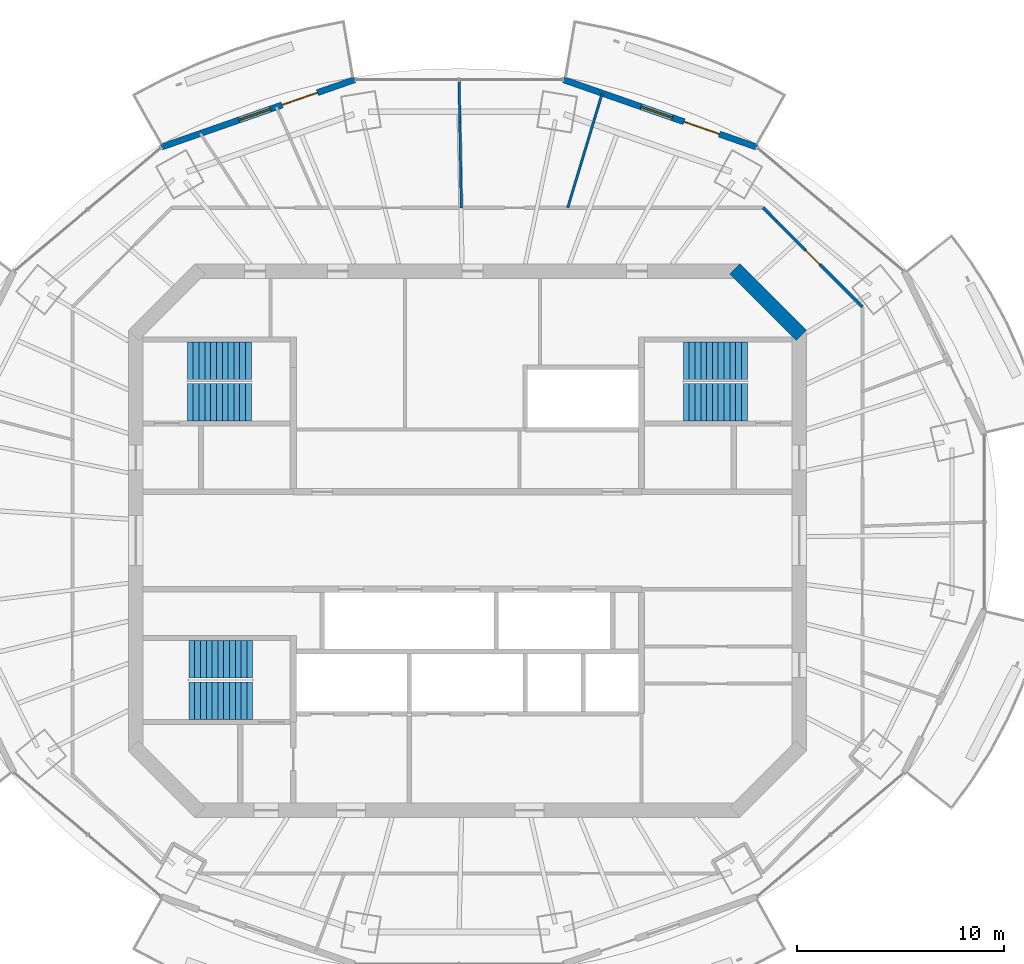
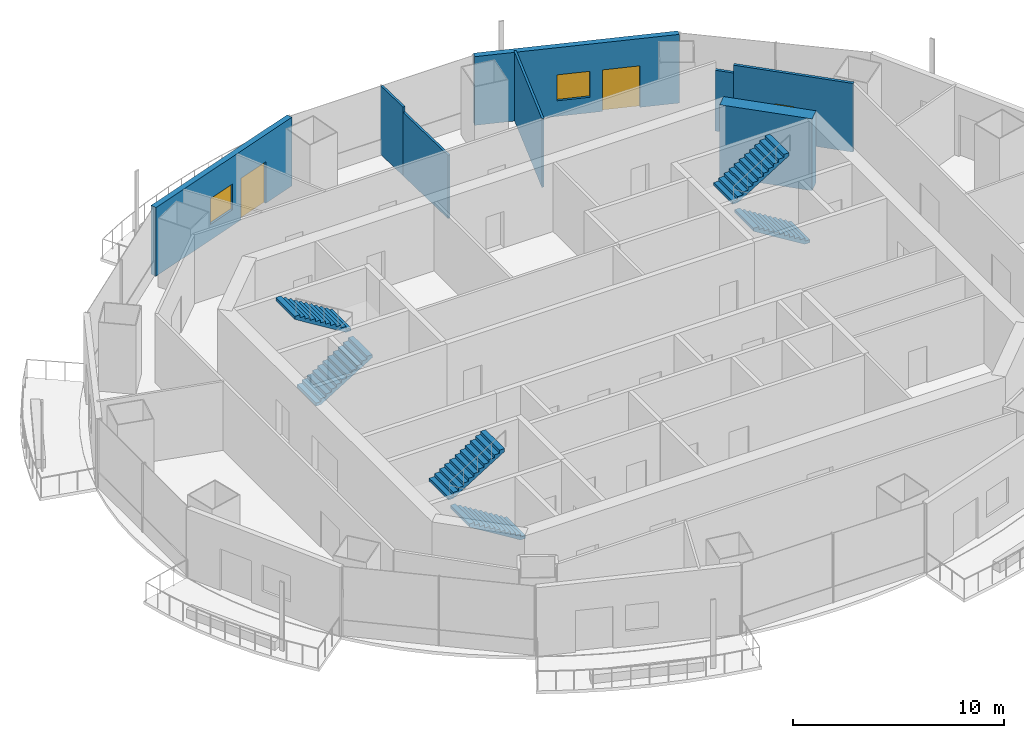
# One storey, part 11 of 16: 8 walls, 6 stair flights, 3 doors, 2 windows, 5 openings, 3 elements without a shape of their own.
"""IFC4 building model written with IfcOpenShell, lengths in metres."""

from ifc_helpers import new_model, si_unit, direction, frame, frame_2d, origin, place, context, subcontext, project, spatial, polyline, rectangle, outline, extrude, material, layer, layer_set, type_object, element, fill, aggregate, save


model = new_model("IFC4")

# Units and contexts
model_context = context("Model", 3, precision=1e-05, world=origin(), true_north=direction((0.0, 1.0)))
body_context = subcontext(model_context, "Body", "Model", "MODEL_VIEW")
ifc_project = project(units=[si_unit("LENGTHUNIT", "METRE"), si_unit("AREAUNIT", "SQUARE_METRE"), si_unit("VOLUMEUNIT", "CUBIC_METRE"), si_unit("PLANEANGLEUNIT", "RADIAN"), si_unit("MASSUNIT", "GRAM", prefix="KILO")], contexts=[model_context])

# Site, building, storey
site_placement = place(None, origin())
site = spatial("IfcSite", under=ifc_project, at=site_placement, CompositionType="ELEMENT")
building_placement = place(site_placement, origin())
building = spatial("IfcBuilding", under=site, at=building_placement, Name="Marenthal Gate Tower", CompositionType="ELEMENT")
storey_placement = place(building_placement, frame((0.0, 0.0, 379.949951171875)))
storey = spatial("IfcBuildingStorey", under=building, at=storey_placement, Name="L86", CompositionType="ELEMENT", Elevation=379.949951171875)

# Walls
ifc_material_1 = material(Name="Concrete 60 MPa", Category="concrete")
ifc_layer_1 = layer(ifc_material_1, 0.699951171875)
ifc_layer_set_1 = layer_set([ifc_layer_1], Name="Core shear wall 700")
wall_type_1 = type_object("IfcWallType", Name="Core shear wall 700", PredefinedType="SHEAR", material=ifc_layer_set_1)
wall_1_placement = place(storey_placement, frame((16.1025390625, 9.8974609375, -0.179931640625), z_axis=(0.0, 0.0, 1.0), x_axis=(-0.707106781187, 0.707106781187, 0.0)))
element("IfcWall", 1, at=wall_1_placement, inside=storey, type_object=wall_type_1, Name="Core wall 03", PredefinedType="SHEAR", context=body_context, shape_type="SweptSolid", body=[
    extrude(rectangle(XDim=4.53271484375, YDim=0.699951171875, at=frame_2d((2.266357421875, 0.0))), origin(), (0.0, 0.0, 1.0), 4.14990234375),
])
ifc_material_2 = material(Name="Gypsum board on steel studs", Category="steel")
ifc_layer_2 = layer(ifc_material_2, 0.1201171875)
ifc_layer_set_2 = layer_set([ifc_layer_2], Name="Partition 120")
wall_type_2 = type_object("IfcWallType", Name="Partition 120", PredefinedType="PARTITIONING", material=ifc_layer_set_2)
wall_2_placement = place(storey_placement, frame((-0.288818359375, 16.050048828125, 0.0), z_axis=(0.0, 0.0, 1.0), x_axis=(-0.018023076785, 0.99983757116, 0.0)))
element("IfcWall", 2, at=wall_2_placement, inside=storey, type_object=wall_type_2, Name="Partition wall 63", PredefinedType="PARTITIONING", context=body_context, shape_type="SweptSolid", body=[
    extrude(rectangle(XDim=4.131591796875, YDim=0.1201171875, at=frame_2d((2.06591796875, 0.0))), origin(), (0.0, 0.0, 1.0), 3.66015625),
])
wall_3_placement = place(storey_placement, frame((-0.36328125, 20.180908203125, 0.0), z_axis=(0.0, 0.0, 1.0), x_axis=(-0.017892625522, 0.999839914162, 0.0)))
element("IfcWall", 3, at=wall_3_placement, inside=storey, type_object=wall_type_2, Name="Partition wall 77", PredefinedType="PARTITIONING", context=body_context, shape_type="SweptSolid", body=[
    extrude(rectangle(XDim=2.046630859375, YDim=0.1201171875, at=frame_2d((1.0234375, 0.0))), origin(), (0.0, 0.0, 1.0), 3.969970703125),
])
wall_4_placement = place(storey_placement, frame((4.840087890625, 16.050048828125, 0.0), z_axis=(0.0, 0.0, 1.0), x_axis=(0.288721483907, 0.957413131689, 0.0)))
element("IfcWall", 4, at=wall_4_placement, inside=storey, type_object=wall_type_2, Name="Partition wall 64", PredefinedType="PARTITIONING", context=body_context, shape_type="SweptSolid", body=[
    extrude(rectangle(XDim=5.771240234375, YDim=0.1201171875, at=frame_2d((2.8857421875, 0.0))), origin(), (0.0, 0.0, 1.0), 3.969970703125),
])
ifc_material_3 = material(Name="Gypsum board on steel studs", Category="steel")
ifc_layer_3 = layer(ifc_material_3, 0.14990234375)
ifc_layer_set_3 = layer_set([ifc_layer_3], Name="Partition 150")
wall_type_3 = type_object("IfcWallType", Name="Partition 150", PredefinedType="PARTITIONING", material=ifc_layer_set_3)
wall_5_placement = place(storey_placement, frame((14.263427734375, 16.050048828125, 0.0), z_axis=(0.0, 0.0, 1.0), x_axis=(0.706971073143, -0.70724246319, 0.0)))
element("IfcWall", 5, at=wall_5_placement, inside=storey, type_object=wall_type_3, Name="Partition wall 69", PredefinedType="PARTITIONING", context=body_context, shape_type="SweptSolid", body=[
    extrude(rectangle(XDim=0.899658203125, YDim=0.14990234375, at=frame_2d((0.44970703125, 0.0))), origin(), (0.0, 0.0, 1.0), 3.512939453125),
])

# Wall, opening, door
wall_6_placement = place(storey_placement, frame((14.8994140625, 15.413818359375, 0.0), z_axis=(0.0, 0.0, 1.0), x_axis=(0.707127577527, -0.707085984234, 0.0)))
wall_6 = element("IfcWall", 6, at=wall_6_placement, inside=storey, type_object=wall_type_3, Name="Partition wall 78", PredefinedType="PARTITIONING", context=body_context, shape_type="SweptSolid", body=[
    extrude(rectangle(XDim=5.86962890625, YDim=0.14990234375, at=frame_2d((2.934814453125, 0.0))), origin(), (0.0, 0.0, 1.0), 3.969970703125),
])
opening_1_placement = place(wall_6_placement, frame((2.010498046875, 0.0, 0.0)))
opening_1 = element("IfcOpeningElement", 7, at=opening_1_placement, cuts=wall_6, Name="Opening D016.01", PredefinedType="OPENING", context=body_context, shape_type="SweptSolid", body=[
    extrude(rectangle(XDim=0.949951171875, YDim=2.10009765625, at=frame_2d((0.47509765625, 1.050048828125))), frame((0.0, 0.0849609375, 0.0), z_axis=(0.0, -1.0, 0.0), x_axis=(1.0, 0.0, 0.0)), (0.0, 0.0, 1.0), 0.169921875),
])
ifc_material_4 = material(Name="Timber door", Category="wood")
door_type_1 = type_object("IfcDoorType", Name="Door 950 x 2100", OperationType="NOTDEFINED", PredefinedType="DOOR", material=ifc_material_4)
door_1_placement = place(opening_1_placement, origin())
door_1 = element("IfcDoor", 8, at=door_1_placement, inside=storey, type_object=door_type_1, Name="Door D016.01", OperationType="SINGLE_SWING_RIGHT", OverallHeight=2.10009765625, OverallWidth=0.949951171875, PredefinedType="DOOR", context=body_context, shape_type="SweptSolid", body=[
    extrude(rectangle(XDim=0.949951171875, YDim=2.10009765625, at=frame_2d((0.47509765625, 1.050048828125))), frame((0.0, 0.02490234375, 0.0), z_axis=(0.0, -1.0, 0.0), x_axis=(1.0, 0.0, 0.0)), (0.0, 0.0, 1.0), 0.050048828125),
])
fill(opening_1, door_1)

# Wall, openings, door, window
ifc_material_5 = material(Name="Terracotta cladding on insulated concrete-block backing", Category="masonry")
ifc_layer_4 = layer(ifc_material_5, 0.300048828125)
ifc_layer_set_4 = layer_set([ifc_layer_4], Name="Terracotta facade wall 300")
wall_type_4 = type_object("IfcWallType", Name="Terracotta facade wall 300", PredefinedType="SOLIDWALL", material=ifc_layer_set_4)
wall_7_placement = place(storey_placement, frame((13.94580078125, 18.980224609375, 0.0), z_axis=(0.0, 0.0, 1.0), x_axis=(-0.944198390312, 0.329377290855, 0.0)))
wall_7 = element("IfcWall", 9, at=wall_7_placement, inside=storey, type_object=wall_type_4, Name="Terracotta facade wall L86 bay 3", PredefinedType="SOLIDWALL", context=body_context, shape_type="SweptSolid", body=[
    extrude(rectangle(XDim=9.858154296875, YDim=0.300048828125, at=frame_2d((4.92919921875, 0.0))), origin(), (0.0, 0.0, 1.0), 3.969970703125),
])
opening_2_placement = place(wall_7_placement, frame((1.89990234375, 0.0, 0.0)))
opening_2 = element("IfcOpeningElement", 10, at=opening_2_placement, cuts=wall_7, Name="Opening BD-L86-03", PredefinedType="OPENING", context=body_context, shape_type="SweptSolid", body=[
    extrude(rectangle(XDim=1.800048828125, YDim=2.39990234375, at=frame_2d((0.89990234375, 1.199951171875))), frame((0.0, 0.16015625, 0.0), z_axis=(0.0, -1.0, 0.0), x_axis=(1.0, 0.0, 0.0)), (0.0, 0.0, 1.0), 0.320068359375),
])
opening_3_placement = place(wall_7_placement, frame((4.300048828125, 0.0, 0.89990234375)))
opening_3 = element("IfcOpeningElement", 11, at=opening_3_placement, cuts=wall_7, Name="Opening WN3-L86-03", PredefinedType="OPENING", context=body_context, shape_type="SweptSolid", body=[
    extrude(rectangle(XDim=1.60009765625, YDim=1.5, at=frame_2d((0.800048828125, 0.75))), frame((0.0, 0.16015625, 0.0), z_axis=(0.0, -1.0, 0.0), x_axis=(1.0, 0.0, 0.0)), (0.0, 0.0, 1.0), 0.320068359375),
])
ifc_material_6 = material(Name="Aluminium and glass", Category="aluminium")
door_type_2 = type_object("IfcDoorType", Name="Balcony door 1800x2400", OperationType="DOUBLE_DOOR_SINGLE_SWING", PredefinedType="DOOR", material=ifc_material_6)
door_2_placement = place(opening_2_placement, origin())
door_2 = element("IfcDoor", 12, at=door_2_placement, inside=storey, type_object=door_type_2, Name="Balcony door L86 bay 3", OperationType="SINGLE_SWING_LEFT", OverallHeight=2.39990234375, OverallWidth=1.800048828125, PredefinedType="DOOR", context=body_context, shape_type="SweptSolid", body=[
    extrude(rectangle(XDim=1.800048828125, YDim=2.39990234375, at=frame_2d((0.89990234375, 1.199951171875))), frame((0.0, 0.02490234375, 0.0), z_axis=(0.0, -1.0, 0.0), x_axis=(1.0, 0.0, 0.0)), (0.0, 0.0, 1.0), 0.050048828125),
])
fill(opening_2, door_2)
ifc_material_7 = material(Name="Aluminium and glass", Category="aluminium")
window_type = type_object("IfcWindowType", Name="Window 1600x1500", PartitioningType="DOUBLE_PANEL_VERTICAL", PredefinedType="WINDOW", material=ifc_material_7)
window_1_placement = place(opening_3_placement, origin())
window_1 = element("IfcWindow", 13, at=window_1_placement, inside=storey, type_object=window_type, Name="Window L86 bay 3", OverallHeight=1.5, OverallWidth=1.60009765625, PartitioningType="SINGLE_PANEL", PredefinedType="WINDOW", context=body_context, shape_type="SweptSolid", body=[
    extrude(rectangle(XDim=1.60009765625, YDim=1.5, at=frame_2d((0.800048828125, 0.75))), frame((0.0, 0.030029296875, 0.0), z_axis=(0.0, -1.0, 0.0), x_axis=(1.0, 0.0, 0.0)), (0.0, 0.0, 1.0), 0.06005859375),
])
fill(opening_3, window_1)

wall_8_placement = place(storey_placement, frame((-5.4375, 22.227294921875, 0.0), z_axis=(0.0, 0.0, 1.0), x_axis=(-0.944201076981, -0.329369589106, 0.0)))
wall_8 = element("IfcWall", 14, at=wall_8_placement, inside=storey, type_object=wall_type_4, Name="Terracotta facade wall L86 bay 5", PredefinedType="SOLIDWALL", context=body_context, shape_type="SweptSolid", body=[
    extrude(rectangle(XDim=9.8583984375, YDim=0.300048828125, at=frame_2d((4.92919921875, 0.0))), origin(), (0.0, 0.0, 1.0), 3.969970703125),
])
opening_4_placement = place(wall_8_placement, frame((1.89990234375, 0.0, 0.0)))
opening_4 = element("IfcOpeningElement", 15, at=opening_4_placement, cuts=wall_8, Name="Opening BD-L86-05", PredefinedType="OPENING", context=body_context, shape_type="SweptSolid", body=[
    extrude(rectangle(XDim=1.800048828125, YDim=2.39990234375, at=frame_2d((0.89990234375, 1.199951171875))), frame((0.0, 0.16015625, 0.0), z_axis=(0.0, -1.0, 0.0), x_axis=(1.0, 0.0, 0.0)), (0.0, 0.0, 1.0), 0.320068359375),
])
opening_5_placement = place(wall_8_placement, frame((4.300048828125, 0.0, 0.89990234375)))
opening_5 = element("IfcOpeningElement", 16, at=opening_5_placement, cuts=wall_8, Name="Opening WN3-L86-05", PredefinedType="OPENING", context=body_context, shape_type="SweptSolid", body=[
    extrude(rectangle(XDim=1.60009765625, YDim=1.5, at=frame_2d((0.800048828125, 0.75))), frame((0.0, 0.16015625, 0.0), z_axis=(0.0, -1.0, 0.0), x_axis=(1.0, 0.0, 0.0)), (0.0, 0.0, 1.0), 0.320068359375),
])
door_3_placement = place(opening_4_placement, origin())
door_3 = element("IfcDoor", 17, at=door_3_placement, inside=storey, type_object=door_type_2, Name="Balcony door L86 bay 5", OperationType="SINGLE_SWING_LEFT", OverallHeight=2.39990234375, OverallWidth=1.800048828125, PredefinedType="DOOR", context=body_context, shape_type="SweptSolid", body=[
    extrude(rectangle(XDim=1.800048828125, YDim=2.39990234375, at=frame_2d((0.89990234375, 1.199951171875))), frame((0.0, 0.02490234375, 0.0), z_axis=(0.0, -1.0, 0.0), x_axis=(1.0, 0.0, 0.0)), (0.0, 0.0, 1.0), 0.050048828125),
])
fill(opening_4, door_3)
window_2_placement = place(opening_5_placement, origin())
window_2 = element("IfcWindow", 18, at=window_2_placement, inside=storey, type_object=window_type, Name="Window L86 bay 5", OverallHeight=1.5, OverallWidth=1.60009765625, PartitioningType="SINGLE_PANEL", PredefinedType="WINDOW", context=body_context, shape_type="SweptSolid", body=[
    extrude(rectangle(XDim=1.60009765625, YDim=1.5, at=frame_2d((0.800048828125, 0.75))), frame((0.0, 0.030029296875, 0.0), z_axis=(0.0, -1.0, 0.0), x_axis=(1.0, 0.0, 0.0)), (0.0, 0.0, 1.0), 0.06005859375),
])
fill(opening_5, window_2)

# Stair, stair flights
ifc_material_8 = material(Name="Concrete 40 MPa", Category="concrete")
stair_type = type_object("IfcStairType", Name="Exit stair 1800", PredefinedType="HALF_TURN_STAIR", material=ifc_material_8)
stair_1_placement = place(storey_placement, origin())
stair_1 = element("IfcStair", 19, at=stair_1_placement, inside=storey, type_object=stair_type, Name="Stair ST1", PredefinedType="HALF_TURN_STAIR")
ifc_material_9 = material(Name="Concrete 40 MPa", Category="concrete")
stair_flight_type = type_object("IfcStairFlightType", Name="Stair flight 1800", PredefinedType="STRAIGHT", material=ifc_material_9)
stair_flight_1_placement = place(storey_placement, frame((-13.5, 6.675048828125, 0.0), z_axis=(0.0, 0.0, 1.0), x_axis=(1.0, 0.0, 0.0)))
stair_flight_1 = element("IfcStairFlight", 20, at=stair_flight_1_placement, type_object=stair_flight_type, Name="ST1 flight 1", NumberOfRisers=12, NumberOfTreads=11, PredefinedType="STRAIGHT", RiserHeight=0.172916667, TreadLength=0.28, context=body_context, shape_type="SweptSolid", body=[
    extrude(outline(polyline([(0.0, 0.0), (0.0, 0.1728515625), (0.280029296875, 0.1728515625), (0.280029296875, 0.345947265625), (0.56005859375, 0.345947265625), (0.56005859375, 0.518798828125), (0.840087890625, 0.518798828125), (0.840087890625, 0.691650390625), (1.1201171875, 0.691650390625), (1.1201171875, 0.864501953125), (1.39990234375, 0.864501953125), (1.39990234375, 1.03759765625), (1.679931640625, 1.03759765625), (1.679931640625, 1.21044921875), (1.9599609375, 1.21044921875), (1.9599609375, 1.38330078125), (2.239990234375, 1.38330078125), (2.239990234375, 1.55615234375), (2.52001953125, 1.55615234375), (2.52001953125, 1.729248046875), (2.800048828125, 1.729248046875), (2.800048828125, 1.902099609375), (3.080078125, 1.902099609375), (3.080078125, 2.074951171875), (3.080078125, 1.725830078125), (0.285400390625, 0.0), (0.0, 0.0)])), frame((0.0, 0.89990234375, 0.0), z_axis=(0.0, -1.0, 0.0), x_axis=(1.0, 0.0, 0.0)), (0.0, 0.0, 1.0), 1.800048828125),
])
stair_flight_2_placement = place(storey_placement, frame((-10.419921875, 8.675048828125, 2.074951171875), z_axis=(0.0, 0.0, 1.0), x_axis=(-1.0, 0.0, 0.0)))
stair_flight_2 = element("IfcStairFlight", 21, at=stair_flight_2_placement, type_object=stair_flight_type, Name="ST1 flight 2", NumberOfRisers=12, NumberOfTreads=11, PredefinedType="STRAIGHT", RiserHeight=0.172916667, TreadLength=0.28, context=body_context, shape_type="SweptSolid", body=[
    extrude(outline(polyline([(0.0, 0.0), (0.0, 0.1728515625), (0.280029296875, 0.1728515625), (0.280029296875, 0.345947265625), (0.56005859375, 0.345947265625), (0.56005859375, 0.518798828125), (0.840087890625, 0.518798828125), (0.840087890625, 0.691650390625), (1.1201171875, 0.691650390625), (1.1201171875, 0.864501953125), (1.39990234375, 0.864501953125), (1.39990234375, 1.03759765625), (1.679931640625, 1.03759765625), (1.679931640625, 1.21044921875), (1.9599609375, 1.21044921875), (1.9599609375, 1.38330078125), (2.239990234375, 1.38330078125), (2.239990234375, 1.55615234375), (2.52001953125, 1.55615234375), (2.52001953125, 1.729248046875), (2.800048828125, 1.729248046875), (2.800048828125, 1.902099609375), (3.080078125, 1.902099609375), (3.080078125, 2.074951171875), (3.080078125, 1.725830078125), (0.285400390625, 0.0), (0.0, 0.0)])), frame((0.0, 0.89990234375, 0.0), z_axis=(0.0, -1.0, 0.0), x_axis=(1.0, 0.0, 0.0)), (0.0, 0.0, 1.0), 1.800048828125),
])
aggregate(stair_1, [stair_flight_1, stair_flight_2])

stair_2_placement = place(storey_placement, origin())
stair_2 = element("IfcStair", 22, at=stair_2_placement, inside=storey, type_object=stair_type, Name="Stair ST2", PredefinedType="HALF_TURN_STAIR")
stair_flight_3_placement = place(storey_placement, frame((-10.35009765625, -7.72509765625, 0.0), z_axis=(0.0, 0.0, 1.0), x_axis=(-1.0, 0.0, 0.0)))
stair_flight_3 = element("IfcStairFlight", 23, at=stair_flight_3_placement, type_object=stair_flight_type, Name="ST2 flight 1", NumberOfRisers=12, NumberOfTreads=11, PredefinedType="STRAIGHT", RiserHeight=0.172916667, TreadLength=0.28, context=body_context, shape_type="SweptSolid", body=[
    extrude(outline(polyline([(0.0, 0.0), (0.0, 0.1728515625), (0.280029296875, 0.1728515625), (0.280029296875, 0.345947265625), (0.56005859375, 0.345947265625), (0.56005859375, 0.518798828125), (0.840087890625, 0.518798828125), (0.840087890625, 0.691650390625), (1.1201171875, 0.691650390625), (1.1201171875, 0.864501953125), (1.39990234375, 0.864501953125), (1.39990234375, 1.03759765625), (1.679931640625, 1.03759765625), (1.679931640625, 1.21044921875), (1.9599609375, 1.21044921875), (1.9599609375, 1.38330078125), (2.239990234375, 1.38330078125), (2.239990234375, 1.55615234375), (2.52001953125, 1.55615234375), (2.52001953125, 1.729248046875), (2.800048828125, 1.729248046875), (2.800048828125, 1.902099609375), (3.080078125, 1.902099609375), (3.080078125, 2.074951171875), (3.080078125, 1.725830078125), (0.285400390625, 0.0), (0.0, 0.0)])), frame((0.0, 0.89990234375, 0.0), z_axis=(0.0, -1.0, 0.0), x_axis=(1.0, 0.0, 0.0)), (0.0, 0.0, 1.0), 1.800048828125),
])
stair_flight_4_placement = place(storey_placement, frame((-13.429931640625, -5.72509765625, 2.074951171875), z_axis=(0.0, 0.0, 1.0), x_axis=(1.0, 0.0, 0.0)))
stair_flight_4 = element("IfcStairFlight", 24, at=stair_flight_4_placement, type_object=stair_flight_type, Name="ST2 flight 2", NumberOfRisers=12, NumberOfTreads=11, PredefinedType="STRAIGHT", RiserHeight=0.172916667, TreadLength=0.28, context=body_context, shape_type="SweptSolid", body=[
    extrude(outline(polyline([(0.0, 0.0), (0.0, 0.1728515625), (0.280029296875, 0.1728515625), (0.280029296875, 0.345947265625), (0.56005859375, 0.345947265625), (0.56005859375, 0.518798828125), (0.840087890625, 0.518798828125), (0.840087890625, 0.691650390625), (1.1201171875, 0.691650390625), (1.1201171875, 0.864501953125), (1.39990234375, 0.864501953125), (1.39990234375, 1.03759765625), (1.679931640625, 1.03759765625), (1.679931640625, 1.21044921875), (1.9599609375, 1.21044921875), (1.9599609375, 1.38330078125), (2.239990234375, 1.38330078125), (2.239990234375, 1.55615234375), (2.52001953125, 1.55615234375), (2.52001953125, 1.729248046875), (2.800048828125, 1.729248046875), (2.800048828125, 1.902099609375), (3.080078125, 1.902099609375), (3.080078125, 2.074951171875), (3.080078125, 1.725830078125), (0.285400390625, 0.0), (0.0, 0.0)])), frame((0.0, 0.89990234375, 0.0), z_axis=(0.0, -1.0, 0.0), x_axis=(1.0, 0.0, 0.0)), (0.0, 0.0, 1.0), 1.800048828125),
])
aggregate(stair_2, [stair_flight_3, stair_flight_4])

stair_3_placement = place(storey_placement, origin())
stair_3 = element("IfcStair", 25, at=stair_3_placement, inside=storey, type_object=stair_type, Name="Stair ST3", PredefinedType="HALF_TURN_STAIR")
stair_flight_5_placement = place(storey_placement, frame((13.5, 6.675048828125, 0.0), z_axis=(0.0, 0.0, 1.0), x_axis=(-1.0, 0.0, 0.0)))
stair_flight_5 = element("IfcStairFlight", 26, at=stair_flight_5_placement, type_object=stair_flight_type, Name="ST3 flight 1", NumberOfRisers=12, NumberOfTreads=11, PredefinedType="STRAIGHT", RiserHeight=0.172916667, TreadLength=0.28, context=body_context, shape_type="SweptSolid", body=[
    extrude(outline(polyline([(0.0, 0.0), (0.0, 0.1728515625), (0.280029296875, 0.1728515625), (0.280029296875, 0.345947265625), (0.56005859375, 0.345947265625), (0.56005859375, 0.518798828125), (0.840087890625, 0.518798828125), (0.840087890625, 0.691650390625), (1.1201171875, 0.691650390625), (1.1201171875, 0.864501953125), (1.39990234375, 0.864501953125), (1.39990234375, 1.03759765625), (1.679931640625, 1.03759765625), (1.679931640625, 1.21044921875), (1.9599609375, 1.21044921875), (1.9599609375, 1.38330078125), (2.239990234375, 1.38330078125), (2.239990234375, 1.55615234375), (2.52001953125, 1.55615234375), (2.52001953125, 1.729248046875), (2.800048828125, 1.729248046875), (2.800048828125, 1.902099609375), (3.080078125, 1.902099609375), (3.080078125, 2.074951171875), (3.080078125, 1.725830078125), (0.285400390625, 0.0), (0.0, 0.0)])), frame((0.0, 0.89990234375, 0.0), z_axis=(0.0, -1.0, 0.0), x_axis=(1.0, 0.0, 0.0)), (0.0, 0.0, 1.0), 1.800048828125),
])
stair_flight_6_placement = place(storey_placement, frame((10.419921875, 8.675048828125, 2.074951171875), z_axis=(0.0, 0.0, 1.0), x_axis=(1.0, 0.0, 0.0)))
stair_flight_6 = element("IfcStairFlight", 27, at=stair_flight_6_placement, type_object=stair_flight_type, Name="ST3 flight 2", NumberOfRisers=12, NumberOfTreads=11, PredefinedType="STRAIGHT", RiserHeight=0.172916667, TreadLength=0.28, context=body_context, shape_type="SweptSolid", body=[
    extrude(outline(polyline([(0.0, 0.0), (0.0, 0.1728515625), (0.280029296875, 0.1728515625), (0.280029296875, 0.345947265625), (0.56005859375, 0.345947265625), (0.56005859375, 0.518798828125), (0.840087890625, 0.518798828125), (0.840087890625, 0.691650390625), (1.1201171875, 0.691650390625), (1.1201171875, 0.864501953125), (1.39990234375, 0.864501953125), (1.39990234375, 1.03759765625), (1.679931640625, 1.03759765625), (1.679931640625, 1.21044921875), (1.9599609375, 1.21044921875), (1.9599609375, 1.38330078125), (2.239990234375, 1.38330078125), (2.239990234375, 1.55615234375), (2.52001953125, 1.55615234375), (2.52001953125, 1.729248046875), (2.800048828125, 1.729248046875), (2.800048828125, 1.902099609375), (3.080078125, 1.902099609375), (3.080078125, 2.074951171875), (3.080078125, 1.725830078125), (0.285400390625, 0.0), (0.0, 0.0)])), frame((0.0, 0.89990234375, 0.0), z_axis=(0.0, -1.0, 0.0), x_axis=(1.0, 0.0, 0.0)), (0.0, 0.0, 1.0), 1.800048828125),
])
aggregate(stair_3, [stair_flight_5, stair_flight_6])

save(model, "model.ifc")
